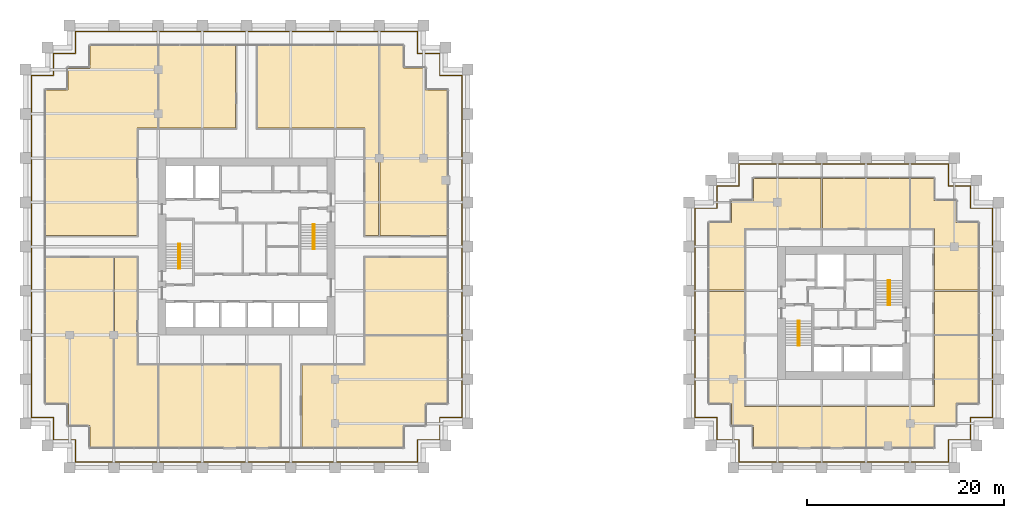
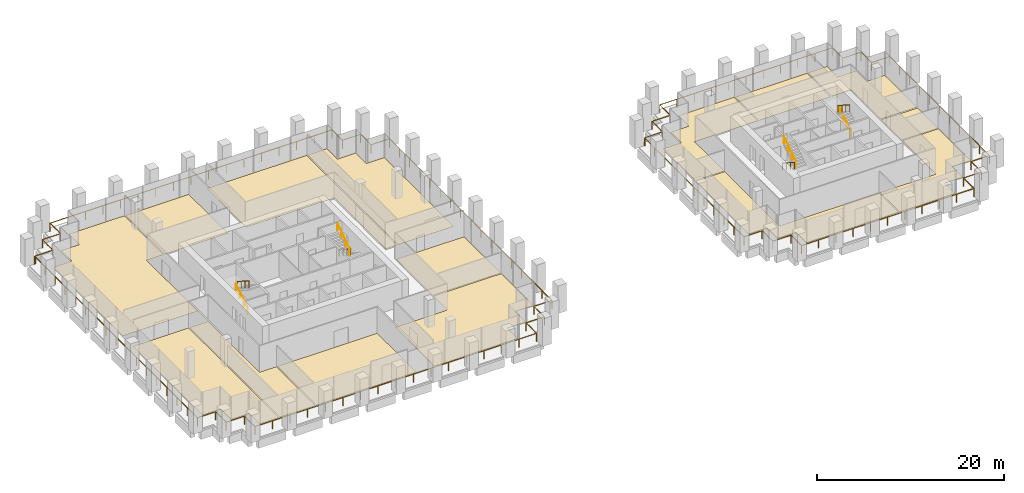
# One storey, part 54 of 54: 15 coverings, 10 railings.
"""IFC4 building model written with IfcOpenShell, lengths in metres."""

from ifc_helpers import new_model, si_unit, direction, frame, origin, origin_2d, place, context, subcontext, project, spatial, polyline, circle, outline, extrude, source, transform, mapped, material, layer, layer_set, type_object, element, save


model = new_model("IFC4")

# Units and contexts
model_context = context("Model", 3, precision=1e-05, world=origin(), true_north=direction((0.0, 1.0)))
body_context = subcontext(model_context, "Body", "Model", "MODEL_VIEW")
ifc_project = project(units=[si_unit("LENGTHUNIT", "METRE"), si_unit("AREAUNIT", "SQUARE_METRE"), si_unit("VOLUMEUNIT", "CUBIC_METRE"), si_unit("PLANEANGLEUNIT", "RADIAN"), si_unit("MASSUNIT", "GRAM", prefix="KILO")], contexts=[model_context])

# Site, building, storey
site_placement = place(None, origin())
site = spatial("IfcSite", under=ifc_project, at=site_placement, CompositionType="ELEMENT")
building_placement = place(site_placement, origin())
building = spatial("IfcBuilding", under=site, at=building_placement, Name="Altepetl Exchange Towers", CompositionType="ELEMENT")
storey_placement = place(building_placement, frame((0.0, 0.0, 61.800048828125)))
storey = spatial("IfcBuildingStorey", under=building, at=storey_placement, Name="L14", CompositionType="ELEMENT", Elevation=61.800048828125)

# Coverings
ifc_material_1 = material(Name="Carpet tile")
ifc_layer_1 = layer(ifc_material_1, 0.02001953125)
ifc_layer_set_1 = layer_set([ifc_layer_1], Name="Carpet tile")
covering_type_1 = type_object("IfcCoveringType", Name="Carpet tile floor", PredefinedType="FLOORING", material=ifc_layer_set_1)
covering_1_placement = place(storey_placement, origin())
element("IfcCovering", 1, at=covering_1_placement, inside=storey, type_object=covering_type_1, Name="Fund office floor finish A14.01", PredefinedType="FLOORING", context=body_context, shape_type="SweptSolid", body=[
    extrude(outline(polyline([(31.3125, 31.3125), (33.5625, 31.3125), (33.5625, 29.0625), (35.9375, 29.0625), (35.9375, 48.387451171875), (29.0625, 48.387451171875), (29.0625, 33.5625), (31.3125, 33.5625), (31.3125, 31.3125)])), origin(), (0.0, 0.0, 1.0), 0.02001953125),
])
covering_2_placement = place(storey_placement, origin())
element("IfcCovering", 2, at=covering_2_placement, inside=storey, type_object=covering_type_1, Name="Pantry floor finish A14.02", PredefinedType="FLOORING", context=body_context, shape_type="SweptSolid", body=[
    extrude(outline(polyline([(36.0625, 48.387451171875), (36.0625, 29.0625), (40.4375, 29.0625), (40.4375, 37.4375), (38.33740234375, 37.4375), (38.33740234375, 48.387451171875), (36.0625, 48.387451171875)])), origin(), (0.0, 0.0, 1.0), 0.02001953125),
])
covering_3_placement = place(storey_placement, origin())
element("IfcCovering", 3, at=covering_3_placement, inside=storey, type_object=covering_type_1, Name="Conference room floor finish A14.03", PredefinedType="FLOORING", context=body_context, shape_type="SweptSolid", body=[
    extrude(outline(polyline([(40.5625, 37.4375), (40.5625, 29.0625), (52.887451171875, 29.0625), (52.887451171875, 37.4375), (40.5625, 37.4375)])), origin(), (0.0, 0.0, 1.0), 0.02001953125),
])
covering_4_placement = place(storey_placement, origin())
element("IfcCovering", 4, at=covering_4_placement, inside=storey, type_object=covering_type_1, Name="Research office floor finish A14.04", PredefinedType="FLOORING", context=body_context, shape_type="SweptSolid", body=[
    extrude(outline(polyline([(67.6875, 31.3125), (67.6875, 33.5625), (69.9375, 33.5625), (69.9375, 40.4375), (61.5625, 40.4375), (61.5625, 37.4375), (55.112548828125, 37.4375), (55.112548828125, 29.0625), (65.4375, 29.0625), (65.4375, 31.3125), (67.6875, 31.3125)])), origin(), (0.0, 0.0, 1.0), 0.02001953125),
])
covering_5_placement = place(storey_placement, origin())
element("IfcCovering", 5, at=covering_5_placement, inside=storey, type_object=covering_type_1, Name="Pantry floor finish A14.05", PredefinedType="FLOORING", context=body_context, shape_type="SweptSolid", body=[
    extrude(outline(polyline([(61.5625, 40.5625), (69.9375, 40.5625), (69.9375, 48.387451171875), (61.5625, 48.387451171875), (61.5625, 40.5625)])), origin(), (0.0, 0.0, 1.0), 0.02001953125),
])
covering_6_placement = place(storey_placement, origin())
element("IfcCovering", 6, at=covering_6_placement, inside=storey, type_object=covering_type_1, Name="Research office floor finish A14.06", PredefinedType="FLOORING", context=body_context, shape_type="SweptSolid", body=[
    extrude(outline(polyline([(67.6875, 67.6875), (65.4375, 67.6875), (65.4375, 69.9375), (63.0625, 69.9375), (63.0625, 50.612548828125), (69.9375, 50.612548828125), (69.9375, 65.4375), (67.6875, 65.4375), (67.6875, 67.6875)])), origin(), (0.0, 0.0, 1.0), 0.02001953125),
])
covering_7_placement = place(storey_placement, origin())
element("IfcCovering", 7, at=covering_7_placement, inside=storey, type_object=covering_type_1, Name="Fund office floor finish A14.07", PredefinedType="FLOORING", context=body_context, shape_type="SweptSolid", body=[
    extrude(outline(polyline([(62.9375, 50.612548828125), (62.9375, 69.9375), (50.612548828125, 69.9375), (50.612548828125, 61.5625), (61.5625, 61.5625), (61.5625, 50.612548828125), (62.9375, 50.612548828125)])), origin(), (0.0, 0.0, 1.0), 0.02001953125),
])
covering_8_placement = place(storey_placement, origin())
element("IfcCovering", 8, at=covering_8_placement, inside=storey, type_object=covering_type_1, Name="Print room floor finish A14.08", PredefinedType="FLOORING", context=body_context, shape_type="SweptSolid", body=[
    extrude(outline(polyline([(48.387451171875, 69.9375), (40.5625, 69.9375), (40.5625, 61.5625), (48.387451171875, 61.5625), (48.387451171875, 69.9375)])), origin(), (0.0, 0.0, 1.0), 0.02001953125),
])
covering_9_placement = place(storey_placement, origin())
element("IfcCovering", 9, at=covering_9_placement, inside=storey, type_object=covering_type_1, Name="Fund office floor finish A14.09", PredefinedType="FLOORING", context=body_context, shape_type="SweptSolid", body=[
    extrude(outline(polyline([(40.4375, 61.5625), (40.4375, 69.9375), (33.5625, 69.9375), (33.5625, 67.6875), (31.3125, 67.6875), (31.3125, 65.4375), (29.0625, 65.4375), (29.0625, 50.612548828125), (38.33740234375, 50.612548828125), (38.33740234375, 61.5625), (40.4375, 61.5625)])), origin(), (0.0, 0.0, 1.0), 0.02001953125),
])
covering_10_placement = place(storey_placement, origin())
element("IfcCovering", 10, at=covering_10_placement, inside=storey, type_object=covering_type_1, Name="Print room floor finish B14.03", PredefinedType="FLOORING", context=body_context, shape_type="SweptSolid", body=[
    extrude(outline(polyline([(123.9375, 44.9375), (119.46240234375, 44.9375), (119.46240234375, 40.5625), (123.9375, 40.5625), (123.9375, 44.9375)])), origin(), (0.0, 0.0, 1.0), 0.02001953125),
])
covering_11_placement = place(storey_placement, origin())
element("IfcCovering", 11, at=covering_11_placement, inside=storey, type_object=covering_type_1, Name="Huddle room floor finish B14.05", PredefinedType="FLOORING", context=body_context, shape_type="SweptSolid", body=[
    extrude(outline(polyline([(108.0625, 56.4375), (108.0625, 51.362548828125), (116.9375, 51.362548828125), (116.9375, 56.4375), (108.0625, 56.4375)])), origin(), (0.0, 0.0, 1.0), 0.02001953125),
])
ifc_material_2 = material(Name="Calcium sulphate access floor panel")
ifc_layer_2 = layer(ifc_material_2, 0.0400390625)
ifc_layer_set_2 = layer_set([ifc_layer_2], Name="Calcium sulphate access floor panel")
covering_type_2 = type_object("IfcCoveringType", Name="Raised access floor panels", PredefinedType="FLOORING", material=ifc_layer_set_2)
covering_12_placement = place(storey_placement, origin())
element("IfcCovering", 12, at=covering_12_placement, inside=storey, type_object=covering_type_2, Name="Treasury office floor finish B14.01", PredefinedType="FLOORING", context=body_context, shape_type="SweptSolid", body=[
    extrude(outline(polyline([(112.4375, 29.0625), (112.4375, 33.237548828125), (100.137451171875, 33.237548828125), (100.137451171875, 44.9375), (96.5625, 44.9375), (96.5625, 33.5625), (98.8125, 33.5625), (98.8125, 31.3125), (101.0625, 31.3125), (101.0625, 29.0625), (112.4375, 29.0625)])), origin(), (0.0, 0.0, 1.0), 0.0400390625),
])
covering_13_placement = place(storey_placement, origin())
element("IfcCovering", 13, at=covering_13_placement, inside=storey, type_object=covering_type_2, Name="Bank office floor finish B14.02", PredefinedType="FLOORING", context=body_context, shape_type="SweptSolid", body=[
    extrude(outline(polyline([(123.9375, 40.4375), (119.46240234375, 40.4375), (119.46240234375, 33.237548828125), (112.5625, 33.237548828125), (112.5625, 29.0625), (119.4375, 29.0625), (119.4375, 31.3125), (121.6875, 31.3125), (121.6875, 33.5625), (123.9375, 33.5625), (123.9375, 40.4375)])), origin(), (0.0, 0.0, 1.0), 0.0400390625),
])
covering_14_placement = place(storey_placement, origin())
element("IfcCovering", 14, at=covering_14_placement, inside=storey, type_object=covering_type_2, Name="Treasury office floor finish B14.04", PredefinedType="FLOORING", context=body_context, shape_type="SweptSolid", body=[
    extrude(outline(polyline([(117.0625, 56.4375), (117.0625, 51.362548828125), (119.46240234375, 51.362548828125), (119.46240234375, 45.0625), (123.9375, 45.0625), (123.9375, 51.9375), (121.6875, 51.9375), (121.6875, 54.1875), (119.4375, 54.1875), (119.4375, 56.4375), (117.0625, 56.4375)])), origin(), (0.0, 0.0, 1.0), 0.0400390625),
])
covering_15_placement = place(storey_placement, origin())
element("IfcCovering", 15, at=covering_15_placement, inside=storey, type_object=covering_type_2, Name="Bank office floor finish B14.06", PredefinedType="FLOORING", context=body_context, shape_type="SweptSolid", body=[
    extrude(outline(polyline([(101.0625, 54.1875), (98.8125, 54.1875), (98.8125, 51.9375), (96.5625, 51.9375), (96.5625, 45.0625), (100.137451171875, 45.0625), (100.137451171875, 51.362548828125), (107.9375, 51.362548828125), (107.9375, 56.4375), (101.0625, 56.4375), (101.0625, 54.1875)])), origin(), (0.0, 0.0, 1.0), 0.0400390625),
])

# Railings
ifc_material_3 = material(Name="Steel S355", Category="steel")
railing_type_1 = type_object("IfcRailingType", Name="Guard 1100 steel posts and rail", PredefinedType="GUARDRAIL", material=ifc_material_3)
shared_shape_1 = source(origin(), body_context, "Body", "SweptSolid", [
    extrude(circle(Radius=0.02099609375, at=origin_2d()), origin(), (0.0, 0.0, 1.0), 1.052001953125),
])
railing_1_placement = place(storey_placement, frame((27.60009765625, 66.89990234375, 0.0)))
element("IfcRailing", 16, at=railing_1_placement, inside=storey, type_object=railing_type_1, Name="Loggia guard", PredefinedType="GUARDRAIL", context=body_context, shape_type="SweptSolid", body=[
    extrude(circle(Radius=0.02392578125, at=origin_2d()), frame((0.0, 0.0, 1.076171875), z_axis=(0.0, -1.0, 0.0), x_axis=(1.0, 0.0, 0.0)), (0.0, 0.0, 1.0), 34.7998046875),
    extrude(circle(Radius=0.02392578125, at=origin_2d()), frame((0.0, -34.7998046875, 1.076171875), z_axis=(1.0, 0.0, 0.0), x_axis=(0.0, 1.0, 0.0)), (0.0, 0.0, 1.0), 2.25),
    extrude(circle(Radius=0.02392578125, at=origin_2d()), frame((2.25, -34.7998046875, 1.076171875), z_axis=(0.0, -1.0, 0.0), x_axis=(1.0, 0.0, 0.0)), (0.0, 0.0, 1.0), 2.25),
    extrude(circle(Radius=0.02392578125, at=origin_2d()), frame((2.25, -37.0498046875, 1.076171875), z_axis=(1.0, 0.0, 0.0), x_axis=(0.0, 1.0, 0.0)), (0.0, 0.0, 1.0), 2.25),
    extrude(circle(Radius=0.02392578125, at=origin_2d()), frame((4.5, -37.0498046875, 1.076171875), z_axis=(0.0, -1.0, 0.0), x_axis=(1.0, 0.0, 0.0)), (0.0, 0.0, 1.0), 2.25),
    extrude(circle(Radius=0.02392578125, at=origin_2d()), frame((4.5, -39.2998046875, 1.076171875), z_axis=(1.0, 0.0, 0.0), x_axis=(0.0, 1.0, 0.0)), (0.0, 0.0, 1.0), 34.7998046875),
    extrude(circle(Radius=0.02392578125, at=origin_2d()), frame((39.2998046875, -39.2998046875, 1.076171875), z_axis=(0.0, 1.0, 0.0), x_axis=(-1.0, 0.0, 0.0)), (0.0, 0.0, 1.0), 2.25),
    extrude(circle(Radius=0.02392578125, at=origin_2d()), frame((39.2998046875, -37.0498046875, 1.076171875), z_axis=(1.0, 0.0, 0.0), x_axis=(0.0, 1.0, 0.0)), (0.0, 0.0, 1.0), 2.25),
    extrude(circle(Radius=0.02392578125, at=origin_2d()), frame((41.5498046875, -37.0498046875, 1.076171875), z_axis=(0.0, 1.0, 0.0), x_axis=(-1.0, 0.0, 0.0)), (0.0, 0.0, 1.0), 2.25),
    extrude(circle(Radius=0.02392578125, at=origin_2d()), frame((41.5498046875, -34.7998046875, 1.076171875), z_axis=(1.0, 0.0, 0.0), x_axis=(0.0, 1.0, 0.0)), (0.0, 0.0, 1.0), 2.25),
    extrude(circle(Radius=0.02392578125, at=origin_2d()), frame((43.7998046875, -34.7998046875, 1.076171875), z_axis=(0.0, 1.0, 0.0), x_axis=(-1.0, 0.0, 0.0)), (0.0, 0.0, 1.0), 34.7998046875),
    extrude(circle(Radius=0.02392578125, at=origin_2d()), frame((43.7998046875, 0.0, 1.076171875), z_axis=(-1.0, 0.0, 0.0), x_axis=(0.0, -1.0, 0.0)), (0.0, 0.0, 1.0), 2.25),
    extrude(circle(Radius=0.02392578125, at=origin_2d()), frame((41.5498046875, 0.0, 1.076171875), z_axis=(0.0, 1.0, 0.0), x_axis=(-1.0, 0.0, 0.0)), (0.0, 0.0, 1.0), 2.25),
    extrude(circle(Radius=0.02392578125, at=origin_2d()), frame((41.5498046875, 2.25, 1.076171875), z_axis=(-1.0, 0.0, 0.0), x_axis=(0.0, -1.0, 0.0)), (0.0, 0.0, 1.0), 2.25),
    extrude(circle(Radius=0.02392578125, at=origin_2d()), frame((39.2998046875, 2.25, 1.076171875), z_axis=(0.0, 1.0, 0.0), x_axis=(-1.0, 0.0, 0.0)), (0.0, 0.0, 1.0), 2.25),
    extrude(circle(Radius=0.02392578125, at=origin_2d()), frame((39.2998046875, 4.5, 1.076171875), z_axis=(-1.0, 0.0, 0.0), x_axis=(0.0, -1.0, 0.0)), (0.0, 0.0, 1.0), 34.7998046875),
    extrude(circle(Radius=0.02392578125, at=origin_2d()), frame((4.5, 4.5, 1.076171875), z_axis=(0.0, -1.0, 0.0), x_axis=(1.0, 0.0, 0.0)), (0.0, 0.0, 1.0), 2.25),
    extrude(circle(Radius=0.02392578125, at=origin_2d()), frame((4.5, 2.25, 1.076171875), z_axis=(-1.0, 0.0, 0.0), x_axis=(0.0, -1.0, 0.0)), (0.0, 0.0, 1.0), 2.25),
    extrude(circle(Radius=0.02392578125, at=origin_2d()), frame((2.25, 2.25, 1.076171875), z_axis=(0.0, -1.0, 0.0), x_axis=(1.0, 0.0, 0.0)), (0.0, 0.0, 1.0), 2.25),
    extrude(circle(Radius=0.02392578125, at=origin_2d()), frame((2.25, 0.0, 1.076171875), z_axis=(-1.0, 0.0, 0.0), x_axis=(0.0, -1.0, 0.0)), (0.0, 0.0, 1.0), 2.150146484375),
    mapped(shared_shape_1, transform((0.0, 0.0, 0.0))),
    mapped(shared_shape_1, transform((0.0, -2.175048828125, 0.0))),
    mapped(shared_shape_1, transform((0.0, -4.35009765625, 0.0))),
    mapped(shared_shape_1, transform((0.0, -6.52490234375, 0.0))),
    mapped(shared_shape_1, transform((0.0, -8.699951171875, 0.0))),
    mapped(shared_shape_1, transform((0.0, -10.875, 0.0))),
    mapped(shared_shape_1, transform((0.0, -13.0498046875, 0.0))),
    mapped(shared_shape_1, transform((0.0, -15.224853515625, 0.0))),
    mapped(shared_shape_1, transform((0.0, -17.39990234375, 0.0))),
    mapped(shared_shape_1, transform((0.0, -19.574951171875, 0.0))),
    mapped(shared_shape_1, transform((0.0, -21.75, 0.0))),
    mapped(shared_shape_1, transform((0.0, -23.9248046875, 0.0))),
    mapped(shared_shape_1, transform((0.0, -26.099853515625, 0.0))),
    mapped(shared_shape_1, transform((0.0, -28.27490234375, 0.0))),
    mapped(shared_shape_1, transform((0.0, -30.44970703125, 0.0))),
    mapped(shared_shape_1, transform((0.0, -32.624755859375, 0.0))),
    mapped(shared_shape_1, transform((0.0, -34.7998046875, 0.0))),
    mapped(shared_shape_1, transform((2.25, -34.7998046875, 0.0))),
    mapped(shared_shape_1, transform((2.25, -37.0498046875, 0.0))),
    mapped(shared_shape_1, transform((4.5, -37.0498046875, 0.0))),
    mapped(shared_shape_1, transform((4.5, -39.2998046875, 0.0))),
    mapped(shared_shape_1, transform((6.675048828125, -39.2998046875, 0.0))),
    mapped(shared_shape_1, transform((8.85009765625, -39.2998046875, 0.0))),
    mapped(shared_shape_1, transform((11.02490234375, -39.2998046875, 0.0))),
    mapped(shared_shape_1, transform((13.199951171875, -39.2998046875, 0.0))),
    mapped(shared_shape_1, transform((15.375, -39.2998046875, 0.0))),
    mapped(shared_shape_1, transform((17.5498046875, -39.2998046875, 0.0))),
    mapped(shared_shape_1, transform((19.724853515625, -39.2998046875, 0.0))),
    mapped(shared_shape_1, transform((21.89990234375, -39.2998046875, 0.0))),
    mapped(shared_shape_1, transform((24.074951171875, -39.2998046875, 0.0))),
    mapped(shared_shape_1, transform((26.25, -39.2998046875, 0.0))),
    mapped(shared_shape_1, transform((28.4248046875, -39.2998046875, 0.0))),
    mapped(shared_shape_1, transform((30.599853515625, -39.2998046875, 0.0))),
    mapped(shared_shape_1, transform((32.77490234375, -39.2998046875, 0.0))),
    mapped(shared_shape_1, transform((34.94970703125, -39.2998046875, 0.0))),
    mapped(shared_shape_1, transform((37.124755859375, -39.2998046875, 0.0))),
    mapped(shared_shape_1, transform((39.2998046875, -39.2998046875, 0.0))),
    mapped(shared_shape_1, transform((39.2998046875, -37.0498046875, 0.0))),
    mapped(shared_shape_1, transform((41.5498046875, -37.0498046875, 0.0))),
    mapped(shared_shape_1, transform((41.5498046875, -34.7998046875, 0.0))),
    mapped(shared_shape_1, transform((43.7998046875, -34.7998046875, 0.0))),
    mapped(shared_shape_1, transform((43.7998046875, -32.624755859375, 0.0))),
    mapped(shared_shape_1, transform((43.7998046875, -30.44970703125, 0.0))),
    mapped(shared_shape_1, transform((43.7998046875, -28.27490234375, 0.0))),
    mapped(shared_shape_1, transform((43.7998046875, -26.099853515625, 0.0))),
    mapped(shared_shape_1, transform((43.7998046875, -23.9248046875, 0.0))),
    mapped(shared_shape_1, transform((43.7998046875, -21.75, 0.0))),
    mapped(shared_shape_1, transform((43.7998046875, -19.574951171875, 0.0))),
    mapped(shared_shape_1, transform((43.7998046875, -17.39990234375, 0.0))),
    mapped(shared_shape_1, transform((43.7998046875, -15.224853515625, 0.0))),
    mapped(shared_shape_1, transform((43.7998046875, -13.0498046875, 0.0))),
    mapped(shared_shape_1, transform((43.7998046875, -10.875, 0.0))),
    mapped(shared_shape_1, transform((43.7998046875, -8.699951171875, 0.0))),
    mapped(shared_shape_1, transform((43.7998046875, -6.52490234375, 0.0))),
    mapped(shared_shape_1, transform((43.7998046875, -4.35009765625, 0.0))),
    mapped(shared_shape_1, transform((43.7998046875, -2.175048828125, 0.0))),
    mapped(shared_shape_1, transform((43.7998046875, 0.0, 0.0))),
    mapped(shared_shape_1, transform((41.5498046875, 0.0, 0.0))),
    mapped(shared_shape_1, transform((41.5498046875, 2.25, 0.0))),
    mapped(shared_shape_1, transform((39.2998046875, 2.25, 0.0))),
    mapped(shared_shape_1, transform((39.2998046875, 4.5, 0.0))),
    mapped(shared_shape_1, transform((37.124755859375, 4.5, 0.0))),
    mapped(shared_shape_1, transform((34.94970703125, 4.5, 0.0))),
    mapped(shared_shape_1, transform((32.77490234375, 4.5, 0.0))),
    mapped(shared_shape_1, transform((30.599853515625, 4.5, 0.0))),
    mapped(shared_shape_1, transform((28.4248046875, 4.5, 0.0))),
    mapped(shared_shape_1, transform((26.25, 4.5, 0.0))),
    mapped(shared_shape_1, transform((24.074951171875, 4.5, 0.0))),
    mapped(shared_shape_1, transform((21.89990234375, 4.5, 0.0))),
    mapped(shared_shape_1, transform((19.724853515625, 4.5, 0.0))),
    mapped(shared_shape_1, transform((17.5498046875, 4.5, 0.0))),
    mapped(shared_shape_1, transform((15.375, 4.5, 0.0))),
    mapped(shared_shape_1, transform((13.199951171875, 4.5, 0.0))),
    mapped(shared_shape_1, transform((11.02490234375, 4.5, 0.0))),
    mapped(shared_shape_1, transform((8.85009765625, 4.5, 0.0))),
    mapped(shared_shape_1, transform((6.675048828125, 4.5, 0.0))),
    mapped(shared_shape_1, transform((4.5, 4.5, 0.0))),
    mapped(shared_shape_1, transform((4.5, 2.25, 0.0))),
    mapped(shared_shape_1, transform((2.25, 2.25, 0.0))),
    mapped(shared_shape_1, transform((2.25, 0.0, 0.0))),
    mapped(shared_shape_1, transform((0.099853515625, 0.0, 0.0))),
])
railing_2_placement = place(storey_placement, frame((95.10009765625, 53.39990234375, 0.0)))
element("IfcRailing", 17, at=railing_2_placement, inside=storey, type_object=railing_type_1, Name="Loggia guard", PredefinedType="GUARDRAIL", context=body_context, shape_type="SweptSolid", body=[
    extrude(circle(Radius=0.02392578125, at=origin_2d()), frame((0.0, 0.0, 1.076171875), z_axis=(0.0, -1.0, 0.0), x_axis=(1.0, 0.0, 0.0)), (0.0, 0.0, 1.0), 21.2998046875),
    extrude(circle(Radius=0.02392578125, at=origin_2d()), frame((0.0, -21.2998046875, 1.076171875), z_axis=(1.0, 0.0, 0.0), x_axis=(0.0, 1.0, 0.0)), (0.0, 0.0, 1.0), 2.25),
    extrude(circle(Radius=0.02392578125, at=origin_2d()), frame((2.25, -21.2998046875, 1.076171875), z_axis=(0.0, -1.0, 0.0), x_axis=(1.0, 0.0, 0.0)), (0.0, 0.0, 1.0), 2.25),
    extrude(circle(Radius=0.02392578125, at=origin_2d()), frame((2.25, -23.5498046875, 1.076171875), z_axis=(1.0, 0.0, 0.0), x_axis=(0.0, 1.0, 0.0)), (0.0, 0.0, 1.0), 2.25),
    extrude(circle(Radius=0.02392578125, at=origin_2d()), frame((4.5, -23.5498046875, 1.076171875), z_axis=(0.0, -1.0, 0.0), x_axis=(1.0, 0.0, 0.0)), (0.0, 0.0, 1.0), 2.25),
    extrude(circle(Radius=0.02392578125, at=origin_2d()), frame((4.5, -25.7998046875, 1.076171875), z_axis=(1.0, 0.0, 0.0), x_axis=(0.0, 1.0, 0.0)), (0.0, 0.0, 1.0), 21.2998046875),
    extrude(circle(Radius=0.02392578125, at=origin_2d()), frame((25.7998046875, -25.7998046875, 1.076171875), z_axis=(0.0, 1.0, 0.0), x_axis=(-1.0, 0.0, 0.0)), (0.0, 0.0, 1.0), 2.25),
    extrude(circle(Radius=0.02392578125, at=origin_2d()), frame((25.7998046875, -23.5498046875, 1.076171875), z_axis=(1.0, 0.0, 0.0), x_axis=(0.0, 1.0, 0.0)), (0.0, 0.0, 1.0), 2.25),
    extrude(circle(Radius=0.02392578125, at=origin_2d()), frame((28.0498046875, -23.5498046875, 1.076171875), z_axis=(0.0, 1.0, 0.0), x_axis=(-1.0, 0.0, 0.0)), (0.0, 0.0, 1.0), 2.25),
    extrude(circle(Radius=0.02392578125, at=origin_2d()), frame((28.0498046875, -21.2998046875, 1.076171875), z_axis=(1.0, 0.0, 0.0), x_axis=(0.0, 1.0, 0.0)), (0.0, 0.0, 1.0), 2.25),
    extrude(circle(Radius=0.02392578125, at=origin_2d()), frame((30.2998046875, -21.2998046875, 1.076171875), z_axis=(0.0, 1.0, 0.0), x_axis=(-1.0, 0.0, 0.0)), (0.0, 0.0, 1.0), 21.2998046875),
    extrude(circle(Radius=0.02392578125, at=origin_2d()), frame((30.2998046875, 0.0, 1.076171875), z_axis=(-1.0, 0.0, 0.0), x_axis=(0.0, -1.0, 0.0)), (0.0, 0.0, 1.0), 2.25),
    extrude(circle(Radius=0.02392578125, at=origin_2d()), frame((28.0498046875, 0.0, 1.076171875), z_axis=(0.0, 1.0, 0.0), x_axis=(-1.0, 0.0, 0.0)), (0.0, 0.0, 1.0), 2.25),
    extrude(circle(Radius=0.02392578125, at=origin_2d()), frame((28.0498046875, 2.25, 1.076171875), z_axis=(-1.0, 0.0, 0.0), x_axis=(0.0, -1.0, 0.0)), (0.0, 0.0, 1.0), 2.25),
    extrude(circle(Radius=0.02392578125, at=origin_2d()), frame((25.7998046875, 2.25, 1.076171875), z_axis=(0.0, 1.0, 0.0), x_axis=(-1.0, 0.0, 0.0)), (0.0, 0.0, 1.0), 2.25),
    extrude(circle(Radius=0.02392578125, at=origin_2d()), frame((25.7998046875, 4.5, 1.076171875), z_axis=(-1.0, 0.0, 0.0), x_axis=(0.0, -1.0, 0.0)), (0.0, 0.0, 1.0), 21.2998046875),
    extrude(circle(Radius=0.02392578125, at=origin_2d()), frame((4.5, 4.5, 1.076171875), z_axis=(0.0, -1.0, 0.0), x_axis=(1.0, 0.0, 0.0)), (0.0, 0.0, 1.0), 2.25),
    extrude(circle(Radius=0.02392578125, at=origin_2d()), frame((4.5, 2.25, 1.076171875), z_axis=(-1.0, 0.0, 0.0), x_axis=(0.0, -1.0, 0.0)), (0.0, 0.0, 1.0), 2.25),
    extrude(circle(Radius=0.02392578125, at=origin_2d()), frame((2.25, 2.25, 1.076171875), z_axis=(0.0, -1.0, 0.0), x_axis=(1.0, 0.0, 0.0)), (0.0, 0.0, 1.0), 2.25),
    extrude(circle(Radius=0.02392578125, at=origin_2d()), frame((2.25, 0.0, 1.076171875), z_axis=(-1.0, 0.0, 0.0), x_axis=(0.0, -1.0, 0.0)), (0.0, 0.0, 1.0), 2.150146484375),
    mapped(shared_shape_1, transform((0.0, 0.0, 0.0))),
    mapped(shared_shape_1, transform((0.0, -2.1298828125, 0.0))),
    mapped(shared_shape_1, transform((0.0, -4.260009765625, 0.0))),
    mapped(shared_shape_1, transform((0.0, -6.389892578125, 0.0))),
    mapped(shared_shape_1, transform((0.0, -8.52001953125, 0.0))),
    mapped(shared_shape_1, transform((0.0, -10.64990234375, 0.0))),
    mapped(shared_shape_1, transform((0.0, -12.77978515625, 0.0))),
    mapped(shared_shape_1, transform((0.0, -14.909912109375, 0.0))),
    mapped(shared_shape_1, transform((0.0, -17.039794921875, 0.0))),
    mapped(shared_shape_1, transform((0.0, -19.169921875, 0.0))),
    mapped(shared_shape_1, transform((0.0, -21.2998046875, 0.0))),
    mapped(shared_shape_1, transform((2.25, -21.2998046875, 0.0))),
    mapped(shared_shape_1, transform((2.25, -23.5498046875, 0.0))),
    mapped(shared_shape_1, transform((4.5, -23.5498046875, 0.0))),
    mapped(shared_shape_1, transform((4.5, -25.7998046875, 0.0))),
    mapped(shared_shape_1, transform((6.6298828125, -25.7998046875, 0.0))),
    mapped(shared_shape_1, transform((8.760009765625, -25.7998046875, 0.0))),
    mapped(shared_shape_1, transform((10.889892578125, -25.7998046875, 0.0))),
    mapped(shared_shape_1, transform((13.02001953125, -25.7998046875, 0.0))),
    mapped(shared_shape_1, transform((15.14990234375, -25.7998046875, 0.0))),
    mapped(shared_shape_1, transform((17.27978515625, -25.7998046875, 0.0))),
    mapped(shared_shape_1, transform((19.409912109375, -25.7998046875, 0.0))),
    mapped(shared_shape_1, transform((21.539794921875, -25.7998046875, 0.0))),
    mapped(shared_shape_1, transform((23.669921875, -25.7998046875, 0.0))),
    mapped(shared_shape_1, transform((25.7998046875, -25.7998046875, 0.0))),
    mapped(shared_shape_1, transform((25.7998046875, -23.5498046875, 0.0))),
    mapped(shared_shape_1, transform((28.0498046875, -23.5498046875, 0.0))),
    mapped(shared_shape_1, transform((28.0498046875, -21.2998046875, 0.0))),
    mapped(shared_shape_1, transform((30.2998046875, -21.2998046875, 0.0))),
    mapped(shared_shape_1, transform((30.2998046875, -19.169921875, 0.0))),
    mapped(shared_shape_1, transform((30.2998046875, -17.039794921875, 0.0))),
    mapped(shared_shape_1, transform((30.2998046875, -14.909912109375, 0.0))),
    mapped(shared_shape_1, transform((30.2998046875, -12.77978515625, 0.0))),
    mapped(shared_shape_1, transform((30.2998046875, -10.64990234375, 0.0))),
    mapped(shared_shape_1, transform((30.2998046875, -8.52001953125, 0.0))),
    mapped(shared_shape_1, transform((30.2998046875, -6.389892578125, 0.0))),
    mapped(shared_shape_1, transform((30.2998046875, -4.260009765625, 0.0))),
    mapped(shared_shape_1, transform((30.2998046875, -2.1298828125, 0.0))),
    mapped(shared_shape_1, transform((30.2998046875, 0.0, 0.0))),
    mapped(shared_shape_1, transform((28.0498046875, 0.0, 0.0))),
    mapped(shared_shape_1, transform((28.0498046875, 2.25, 0.0))),
    mapped(shared_shape_1, transform((25.7998046875, 2.25, 0.0))),
    mapped(shared_shape_1, transform((25.7998046875, 4.5, 0.0))),
    mapped(shared_shape_1, transform((23.669921875, 4.5, 0.0))),
    mapped(shared_shape_1, transform((21.539794921875, 4.5, 0.0))),
    mapped(shared_shape_1, transform((19.409912109375, 4.5, 0.0))),
    mapped(shared_shape_1, transform((17.27978515625, 4.5, 0.0))),
    mapped(shared_shape_1, transform((15.14990234375, 4.5, 0.0))),
    mapped(shared_shape_1, transform((13.02001953125, 4.5, 0.0))),
    mapped(shared_shape_1, transform((10.889892578125, 4.5, 0.0))),
    mapped(shared_shape_1, transform((8.760009765625, 4.5, 0.0))),
    mapped(shared_shape_1, transform((6.6298828125, 4.5, 0.0))),
    mapped(shared_shape_1, transform((4.5, 4.5, 0.0))),
    mapped(shared_shape_1, transform((4.5, 2.25, 0.0))),
    mapped(shared_shape_1, transform((2.25, 2.25, 0.0))),
    mapped(shared_shape_1, transform((2.25, 0.0, 0.0))),
    mapped(shared_shape_1, transform((0.099853515625, 0.0, 0.0))),
])
ifc_material_4 = material(Name="Steel", Category="steel")
railing_type_2 = type_object("IfcRailingType", Name="Stair handrail 50 steel tube", PredefinedType="HANDRAIL", material=ifc_material_4)
shared_shape_2 = source(origin(), body_context, "Body", "SweptSolid", [
    extrude(circle(Radius=0.02099609375, at=origin_2d()), origin(), (0.0, 0.0, 1.0), 0.851806640625),
])
railing_3_placement = place(storey_placement, frame((42.570068359375, 47.25, 0.179931640625)))
element("IfcRailing", 18, at=railing_3_placement, inside=storey, type_object=railing_type_2, Name="Stair handrail", PredefinedType="HANDRAIL", context=body_context, shape_type="SweptSolid", body=[
    extrude(circle(Radius=0.02392578125, at=origin_2d()), frame((0.0, 0.0, 0.8759765625), z_axis=(0.0, 0.841162588446, 0.540782303519), x_axis=(-1.0, 0.0, 0.0)), (0.0, 0.0, 1.0), 2.995849609375),
    mapped(shared_shape_2, transform((0.0, 0.0, 0.0))),
    mapped(shared_shape_2, transform((0.0, 0.840087890625, 0.5400390625))),
    mapped(shared_shape_2, transform((0.0, 1.679931640625, 1.080078125))),
    mapped(shared_shape_2, transform((0.0, 2.52001953125, 1.6201171875))),
])
railing_4_placement = place(storey_placement, frame((42.72998046875, 49.77001953125, 1.97998046875)))
element("IfcRailing", 19, at=railing_4_placement, inside=storey, type_object=railing_type_2, Name="Stair handrail", PredefinedType="HANDRAIL", context=body_context, shape_type="SweptSolid", body=[
    extrude(circle(Radius=0.02392578125, at=origin_2d()), frame((0.0, 0.0, 0.8759765625), z_axis=(0.0, -0.841199657755, 0.540724639528), x_axis=(1.0, 0.0, 0.0)), (0.0, 0.0, 1.0), 2.995849609375),
    mapped(shared_shape_2, transform((0.0, 0.0, 0.0))),
    mapped(shared_shape_2, transform((0.0, -0.840087890625, 0.5400390625))),
    mapped(shared_shape_2, transform((0.0, -1.679931640625, 1.079833984375))),
    mapped(shared_shape_2, transform((0.0, -2.52001953125, 1.619873046875))),
])
railing_5_placement = place(storey_placement, frame((56.429931640625, 51.75, 0.179931640625)))
element("IfcRailing", 20, at=railing_5_placement, inside=storey, type_object=railing_type_2, Name="Stair handrail", PredefinedType="HANDRAIL", context=body_context, shape_type="SweptSolid", body=[
    extrude(circle(Radius=0.02392578125, at=origin_2d()), frame((0.0, 0.0, 0.8759765625), z_axis=(0.0, -0.841162588446, 0.540782303519), x_axis=(1.0, 0.0, 0.0)), (0.0, 0.0, 1.0), 2.995849609375),
    mapped(shared_shape_2, transform((0.0, 0.0, 0.0))),
    mapped(shared_shape_2, transform((0.0, -0.840087890625, 0.5400390625))),
    mapped(shared_shape_2, transform((0.0, -1.679931640625, 1.080078125))),
    mapped(shared_shape_2, transform((0.0, -2.52001953125, 1.6201171875))),
])
railing_6_placement = place(storey_placement, frame((56.27001953125, 49.22998046875, 1.97998046875)))
element("IfcRailing", 21, at=railing_6_placement, inside=storey, type_object=railing_type_2, Name="Stair handrail", PredefinedType="HANDRAIL", context=body_context, shape_type="SweptSolid", body=[
    extrude(circle(Radius=0.02392578125, at=origin_2d()), frame((0.0, 0.0, 0.8759765625), z_axis=(0.0, 0.841199657755, 0.540724639528), x_axis=(-1.0, 0.0, 0.0)), (0.0, 0.0, 1.0), 2.995849609375),
    mapped(shared_shape_2, transform((0.0, 0.0, 0.0))),
    mapped(shared_shape_2, transform((0.0, 0.840087890625, 0.5400390625))),
    mapped(shared_shape_2, transform((0.0, 1.679931640625, 1.079833984375))),
    mapped(shared_shape_2, transform((0.0, 2.52001953125, 1.619873046875))),
])
railing_7_placement = place(storey_placement, frame((105.570068359375, 41.949951171875, 0.179931640625)))
element("IfcRailing", 22, at=railing_7_placement, inside=storey, type_object=railing_type_2, Name="Stair handrail", PredefinedType="HANDRAIL", context=body_context, shape_type="SweptSolid", body=[
    extrude(circle(Radius=0.02392578125, at=origin_2d()), frame((0.0, 0.0, 0.8759765625), z_axis=(0.0, -0.841162588446, 0.540782303519), x_axis=(1.0, 0.0, 0.0)), (0.0, 0.0, 1.0), 2.995849609375),
    mapped(shared_shape_2, transform((0.0, 0.0, 0.0))),
    mapped(shared_shape_2, transform((0.0, -0.840087890625, 0.5400390625))),
    mapped(shared_shape_2, transform((0.0, -1.679931640625, 1.080078125))),
    mapped(shared_shape_2, transform((0.0, -2.52001953125, 1.6201171875))),
])
railing_8_placement = place(storey_placement, frame((105.72998046875, 39.429931640625, 1.97998046875)))
element("IfcRailing", 23, at=railing_8_placement, inside=storey, type_object=railing_type_2, Name="Stair handrail", PredefinedType="HANDRAIL", context=body_context, shape_type="SweptSolid", body=[
    extrude(circle(Radius=0.02392578125, at=origin_2d()), frame((0.0, 0.0, 0.8759765625), z_axis=(0.0, 0.841199657755, 0.540724639528), x_axis=(-1.0, 0.0, 0.0)), (0.0, 0.0, 1.0), 2.995849609375),
    mapped(shared_shape_2, transform((0.0, 0.0, 0.0))),
    mapped(shared_shape_2, transform((0.0, 0.840087890625, 0.5400390625))),
    mapped(shared_shape_2, transform((0.0, 1.679931640625, 1.079833984375))),
    mapped(shared_shape_2, transform((0.0, 2.52001953125, 1.619873046875))),
])
railing_9_placement = place(storey_placement, frame((114.929931640625, 43.550048828125, 0.179931640625)))
element("IfcRailing", 24, at=railing_9_placement, inside=storey, type_object=railing_type_2, Name="Stair handrail", PredefinedType="HANDRAIL", context=body_context, shape_type="SweptSolid", body=[
    extrude(circle(Radius=0.02392578125, at=origin_2d()), frame((0.0, 0.0, 0.8759765625), z_axis=(0.0, 0.841162588446, 0.540782303519), x_axis=(-1.0, 0.0, 0.0)), (0.0, 0.0, 1.0), 2.995849609375),
    mapped(shared_shape_2, transform((0.0, 0.0, 0.0))),
    mapped(shared_shape_2, transform((0.0, 0.840087890625, 0.5400390625))),
    mapped(shared_shape_2, transform((0.0, 1.679931640625, 1.080078125))),
    mapped(shared_shape_2, transform((0.0, 2.52001953125, 1.6201171875))),
])
railing_10_placement = place(storey_placement, frame((114.77001953125, 46.070068359375, 1.97998046875)))
element("IfcRailing", 25, at=railing_10_placement, inside=storey, type_object=railing_type_2, Name="Stair handrail", PredefinedType="HANDRAIL", context=body_context, shape_type="SweptSolid", body=[
    extrude(circle(Radius=0.02392578125, at=origin_2d()), frame((0.0, 0.0, 0.8759765625), z_axis=(0.0, -0.841199657755, 0.540724639528), x_axis=(1.0, 0.0, 0.0)), (0.0, 0.0, 1.0), 2.995849609375),
    mapped(shared_shape_2, transform((0.0, 0.0, 0.0))),
    mapped(shared_shape_2, transform((0.0, -0.840087890625, 0.5400390625))),
    mapped(shared_shape_2, transform((0.0, -1.679931640625, 1.079833984375))),
    mapped(shared_shape_2, transform((0.0, -2.52001953125, 1.619873046875))),
])

save(model, "model.ifc")
